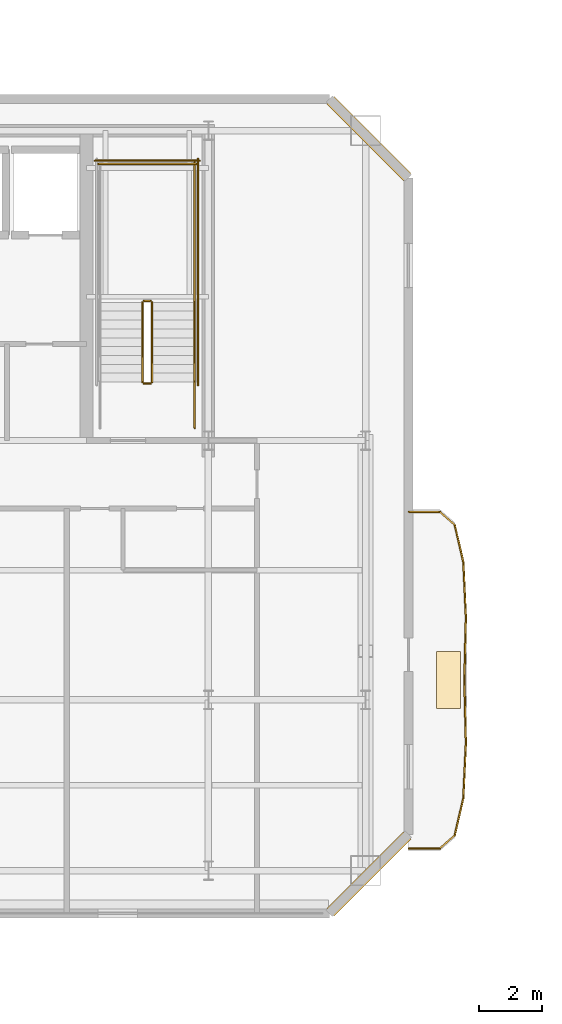
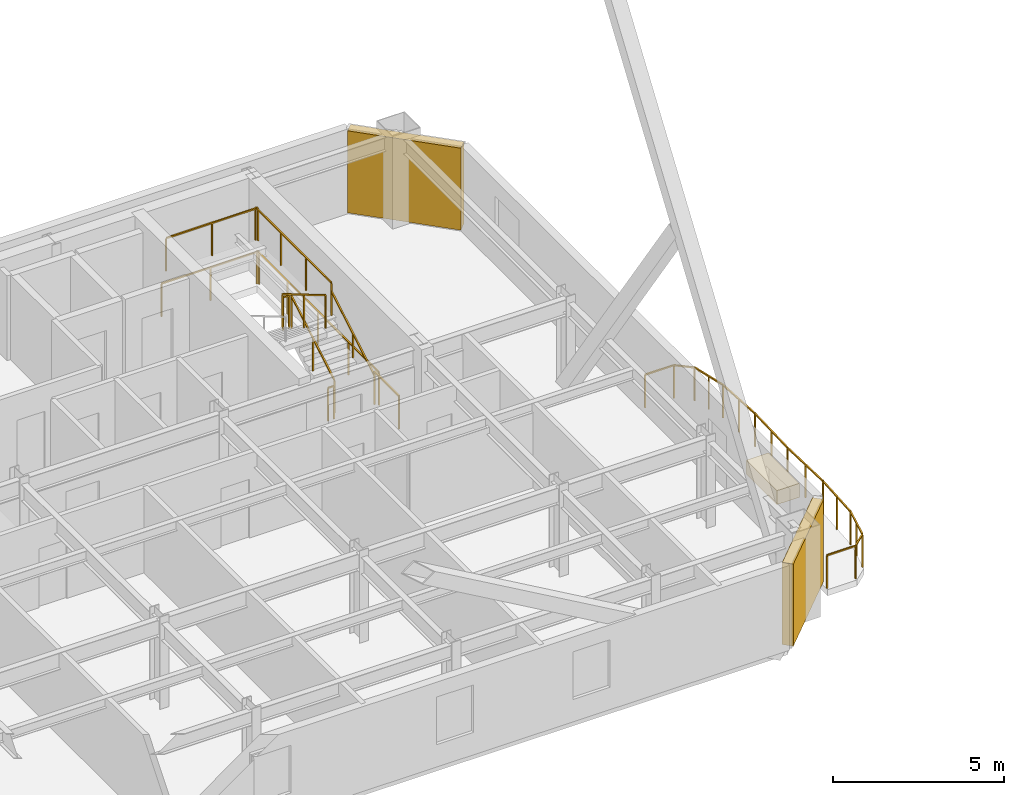
# One storey, part 8 of 9: 20 railings, 2 shading devices, 1 covering.
"""IFC4 building model written with IfcOpenShell, lengths in metres."""

from ifc_helpers import new_model, si_unit, direction, frame, origin, origin_2d, place, context, subcontext, project, spatial, rectangle, extrude, material, layer, layer_set, type_object, element, save


model = new_model("IFC4")

# Units and contexts
model_context = context("Model", 3, precision=1e-05, world=origin(), true_north=direction((0.0, 1.0)))
body_context = subcontext(model_context, "Body", "Model", "MODEL_VIEW")
ifc_project = project(units=[si_unit("LENGTHUNIT", "METRE"), si_unit("AREAUNIT", "SQUARE_METRE"), si_unit("VOLUMEUNIT", "CUBIC_METRE"), si_unit("PLANEANGLEUNIT", "RADIAN"), si_unit("MASSUNIT", "GRAM", prefix="KILO")], contexts=[model_context])

# Site, building, storey
site_placement = place(None, origin())
site = spatial("IfcSite", under=ifc_project, at=site_placement, CompositionType="ELEMENT")
building_placement = place(site_placement, origin())
building = spatial("IfcBuilding", under=site, at=building_placement, Name="Haevon Station Towers", CompositionType="ELEMENT")
storey_placement = place(building_placement, frame((0.0, 0.0, 239.39990234375)))
storey = spatial("IfcBuildingStorey", under=building, at=storey_placement, Name="L66", CompositionType="ELEMENT", Elevation=239.39990234375)

# Railings
ifc_material_1 = material(Name="Steel S355", Category="steel")
railing_type_1 = type_object("IfcRailingType", Name="GRD-EXT1200", PredefinedType="GUARDRAIL", material=ifc_material_1)
railing_1_placement = place(storey_placement, frame((57.34814453125, 25.302978515625, 0.0)))
element("IfcRailing", 1, at=railing_1_placement, inside=storey, type_object=railing_type_1, Name="L66 Perimeter Guardrail 1", PredefinedType="GUARDRAIL", context=body_context, shape_type="SweptSolid", body=[
    extrude(rectangle(XDim=0.048095703125, YDim=0.048095703125, at=origin_2d()), frame((0.0, 0.0, 1.17578125), z_axis=(0.999997991982, 0.002004003992, 0.0), x_axis=(-0.002004003992, 0.999997991982, 0.0)), (0.0, 0.0, 1.0), 0.974609375),
    extrude(rectangle(XDim=0.0419921875, YDim=0.0419921875, at=origin_2d()), origin(), (0.0, 0.0, 1.0), 1.15185546875),
    extrude(rectangle(XDim=0.0419921875, YDim=0.0419921875, at=origin_2d()), frame((0.974609375, 0.001953125, 0.0)), (0.0, 0.0, 1.0), 1.15185546875),
])
railing_2_placement = place(storey_placement, frame((58.32275390625, 25.304931640625, 0.0)))
element("IfcRailing", 2, at=railing_2_placement, inside=storey, type_object=railing_type_1, Name="L66 Perimeter Guardrail 2", PredefinedType="GUARDRAIL", context=body_context, shape_type="SweptSolid", body=[
    extrude(rectangle(XDim=0.048095703125, YDim=0.048095703125, at=origin_2d()), frame((0.0, 0.0, 1.17578125), z_axis=(0.750775765034, 0.660557151681, 0.0), x_axis=(-0.660557151681, 0.750775765034, 0.0)), (0.0, 0.0, 1.0), 0.622314453125),
    extrude(rectangle(XDim=0.0419921875, YDim=0.0419921875, at=origin_2d()), origin(), (0.0, 0.0, 1.0), 1.15185546875),
    extrude(rectangle(XDim=0.0419921875, YDim=0.0419921875, at=origin_2d()), frame((0.46728515625, 0.4111328125, 0.0)), (0.0, 0.0, 1.0), 1.15185546875),
])
railing_3_placement = place(storey_placement, frame((58.7900390625, 25.716064453125, 0.0)))
element("IfcRailing", 3, at=railing_3_placement, inside=storey, type_object=railing_type_1, Name="L66 Perimeter Guardrail 3", PredefinedType="GUARDRAIL", context=body_context, shape_type="SweptSolid", body=[
    extrude(rectangle(XDim=0.048095703125, YDim=0.048095703125, at=origin_2d()), frame((0.0, 0.0, 1.17578125), z_axis=(0.227396637596, 0.973802222841, 0.0), x_axis=(-0.973802222841, 0.227396637596, 0.0)), (0.0, 0.0, 1.0), 1.201416015625),
    extrude(rectangle(XDim=0.0419921875, YDim=0.0419921875, at=origin_2d()), origin(), (0.0, 0.0, 1.0), 1.15185546875),
    extrude(rectangle(XDim=0.0419921875, YDim=0.0419921875, at=origin_2d()), frame((0.13671875, 0.5849609375, 0.0)), (0.0, 0.0, 1.0), 1.15185546875),
    extrude(rectangle(XDim=0.0419921875, YDim=0.0419921875, at=origin_2d()), frame((0.273193359375, 1.169921875, 0.0)), (0.0, 0.0, 1.0), 1.15185546875),
])
railing_4_placement = place(storey_placement, frame((59.063232421875, 26.885986328125, 0.0)))
element("IfcRailing", 4, at=railing_4_placement, inside=storey, type_object=railing_type_1, Name="L66 Perimeter Guardrail 4", PredefinedType="GUARDRAIL", context=body_context, shape_type="SweptSolid", body=[
    extrude(rectangle(XDim=0.048095703125, YDim=0.048095703125, at=origin_2d()), frame((0.0, 0.0, 1.17578125), z_axis=(0.046419346873, 0.99892204112, 0.0), x_axis=(-0.99892204112, 0.046419346873, 0.0)), (0.0, 0.0, 1.0), 1.75146484375),
    extrude(rectangle(XDim=0.0419921875, YDim=0.0419921875, at=origin_2d()), origin(), (0.0, 0.0, 1.0), 1.15185546875),
    extrude(rectangle(XDim=0.0419921875, YDim=0.0419921875, at=origin_2d()), frame((0.04052734375, 0.874755859375, 0.0)), (0.0, 0.0, 1.0), 1.15185546875),
    extrude(rectangle(XDim=0.0419921875, YDim=0.0419921875, at=origin_2d()), frame((0.081298828125, 1.74951171875, 0.0)), (0.0, 0.0, 1.0), 1.15185546875),
])
railing_5_placement = place(storey_placement, frame((59.14453125, 28.635498046875, 0.0)))
element("IfcRailing", 5, at=railing_5_placement, inside=storey, type_object=railing_type_1, Name="L66 Perimeter Guardrail 5", PredefinedType="GUARDRAIL", context=body_context, shape_type="SweptSolid", body=[
    extrude(rectangle(XDim=0.048095703125, YDim=0.048095703125, at=origin_2d()), frame((0.0, 0.0, 1.17578125), z_axis=(-0.024290290781, 0.999704947359, 0.0), x_axis=(-0.999704947359, -0.024290290781, 0.0)), (0.0, 0.0, 1.0), 1.989990234375),
    extrude(rectangle(XDim=0.0419921875, YDim=0.0419921875, at=origin_2d()), origin(), (0.0, 0.0, 1.0), 1.15185546875),
    extrude(rectangle(XDim=0.0419921875, YDim=0.0419921875, at=origin_2d()), frame((-0.024169921875, 0.99462890625, 0.0)), (0.0, 0.0, 1.0), 1.15185546875),
    extrude(rectangle(XDim=0.0419921875, YDim=0.0419921875, at=origin_2d()), frame((-0.04833984375, 1.989501953125, 0.0)), (0.0, 0.0, 1.0), 1.15185546875),
])
railing_6_placement = place(storey_placement, frame((59.09619140625, 30.625, 0.0)))
element("IfcRailing", 6, at=railing_6_placement, inside=storey, type_object=railing_type_1, Name="L66 Perimeter Guardrail 6", PredefinedType="GUARDRAIL", context=body_context, shape_type="SweptSolid", body=[
    extrude(rectangle(XDim=0.048095703125, YDim=0.048095703125, at=origin_2d()), frame((0.0, 0.0, 1.17578125), z_axis=(0.024290290781, 0.999704947359, 0.0), x_axis=(-0.999704947359, 0.024290290781, 0.0)), (0.0, 0.0, 1.0), 1.989990234375),
    extrude(rectangle(XDim=0.0419921875, YDim=0.0419921875, at=origin_2d()), origin(), (0.0, 0.0, 1.0), 1.15185546875),
    extrude(rectangle(XDim=0.0419921875, YDim=0.0419921875, at=origin_2d()), frame((0.024169921875, 0.99462890625, 0.0)), (0.0, 0.0, 1.0), 1.15185546875),
    extrude(rectangle(XDim=0.0419921875, YDim=0.0419921875, at=origin_2d()), frame((0.04833984375, 1.989501953125, 0.0)), (0.0, 0.0, 1.0), 1.15185546875),
])
railing_7_placement = place(storey_placement, frame((59.14453125, 32.614501953125, 0.0)))
element("IfcRailing", 7, at=railing_7_placement, inside=storey, type_object=railing_type_1, Name="L66 Perimeter Guardrail 7", PredefinedType="GUARDRAIL", context=body_context, shape_type="SweptSolid", body=[
    extrude(rectangle(XDim=0.048095703125, YDim=0.048095703125, at=origin_2d()), frame((0.0, 0.0, 1.17578125), z_axis=(-0.046419346873, 0.99892204112, 0.0), x_axis=(-0.99892204112, -0.046419346873, 0.0)), (0.0, 0.0, 1.0), 1.75146484375),
    extrude(rectangle(XDim=0.0419921875, YDim=0.0419921875, at=origin_2d()), origin(), (0.0, 0.0, 1.0), 1.15185546875),
    extrude(rectangle(XDim=0.0419921875, YDim=0.0419921875, at=origin_2d()), frame((-0.04052734375, 0.874755859375, 0.0)), (0.0, 0.0, 1.0), 1.15185546875),
    extrude(rectangle(XDim=0.0419921875, YDim=0.0419921875, at=origin_2d()), frame((-0.081298828125, 1.74951171875, 0.0)), (0.0, 0.0, 1.0), 1.15185546875),
])
railing_8_placement = place(storey_placement, frame((59.063232421875, 34.364013671875, 0.0)))
element("IfcRailing", 8, at=railing_8_placement, inside=storey, type_object=railing_type_1, Name="L66 Perimeter Guardrail 8", PredefinedType="GUARDRAIL", context=body_context, shape_type="SweptSolid", body=[
    extrude(rectangle(XDim=0.048095703125, YDim=0.048095703125, at=origin_2d()), frame((0.0, 0.0, 1.17578125), z_axis=(-0.227396637596, 0.973802222841, 0.0), x_axis=(-0.973802222841, -0.227396637596, 0.0)), (0.0, 0.0, 1.0), 1.201416015625),
    extrude(rectangle(XDim=0.0419921875, YDim=0.0419921875, at=origin_2d()), origin(), (0.0, 0.0, 1.0), 1.15185546875),
    extrude(rectangle(XDim=0.0419921875, YDim=0.0419921875, at=origin_2d()), frame((-0.13671875, 0.5849609375, 0.0)), (0.0, 0.0, 1.0), 1.15185546875),
    extrude(rectangle(XDim=0.0419921875, YDim=0.0419921875, at=origin_2d()), frame((-0.273193359375, 1.169921875, 0.0)), (0.0, 0.0, 1.0), 1.15185546875),
])
railing_9_placement = place(storey_placement, frame((58.7900390625, 35.533935546875, 0.0)))
element("IfcRailing", 9, at=railing_9_placement, inside=storey, type_object=railing_type_1, Name="L66 Perimeter Guardrail 9", PredefinedType="GUARDRAIL", context=body_context, shape_type="SweptSolid", body=[
    extrude(rectangle(XDim=0.048095703125, YDim=0.048095703125, at=origin_2d()), frame((0.0, 0.0, 1.17578125), z_axis=(-0.750775765034, 0.660557151681, 0.0), x_axis=(-0.660557151681, -0.750775765034, 0.0)), (0.0, 0.0, 1.0), 0.622314453125),
    extrude(rectangle(XDim=0.0419921875, YDim=0.0419921875, at=origin_2d()), origin(), (0.0, 0.0, 1.0), 1.15185546875),
    extrude(rectangle(XDim=0.0419921875, YDim=0.0419921875, at=origin_2d()), frame((-0.46728515625, 0.4111328125, 0.0)), (0.0, 0.0, 1.0), 1.15185546875),
])
railing_10_placement = place(storey_placement, frame((58.32275390625, 35.945068359375, 0.0)))
element("IfcRailing", 10, at=railing_10_placement, inside=storey, type_object=railing_type_1, Name="L66 Perimeter Guardrail 10", PredefinedType="GUARDRAIL", context=body_context, shape_type="SweptSolid", body=[
    extrude(rectangle(XDim=0.048095703125, YDim=0.048095703125, at=origin_2d()), frame((0.0, 0.0, 1.17578125), z_axis=(-0.999997991982, 0.002004003992, 0.0), x_axis=(-0.002004003992, -0.999997991982, 0.0)), (0.0, 0.0, 1.0), 0.974609375),
    extrude(rectangle(XDim=0.0419921875, YDim=0.0419921875, at=origin_2d()), origin(), (0.0, 0.0, 1.0), 1.15185546875),
    extrude(rectangle(XDim=0.0419921875, YDim=0.0419921875, at=origin_2d()), frame((-0.974609375, 0.001953125, 0.0)), (0.0, 0.0, 1.0), 1.15185546875),
])
railing_type_2 = type_object("IfcRailingType", Name="GRD-STR1200", PredefinedType="GUARDRAIL", material=ifc_material_1)
railing_11_placement = place(storey_placement, frame((49.219970703125, 40.050048828125, 0.1650390625)))
element("IfcRailing", 11, at=railing_11_placement, inside=storey, type_object=railing_type_2, Name="L66 ST2 Stair Guard 1", PredefinedType="GUARDRAIL", context=body_context, shape_type="SweptSolid", body=[
    extrude(rectangle(XDim=0.048095703125, YDim=0.048095703125, at=origin_2d()), frame((0.0, 0.0, 1.17578125), z_axis=(0.0, 0.86152411907, 0.507716645641), x_axis=(-1.0, 0.0, 0.0)), (0.0, 0.0, 1.0), 2.925048828125),
    extrude(rectangle(XDim=0.0419921875, YDim=0.0419921875, at=origin_2d()), origin(), (0.0, 0.0, 1.0), 1.15185546875),
    extrude(rectangle(XDim=0.0419921875, YDim=0.0419921875, at=origin_2d()), frame((0.0, 1.260009765625, 0.74267578125)), (0.0, 0.0, 1.0), 1.15185546875),
    extrude(rectangle(XDim=0.0419921875, YDim=0.0419921875, at=origin_2d()), frame((0.0, 2.52001953125, 1.485107421875)), (0.0, 0.0, 1.0), 1.15185546875),
])
railing_12_placement = place(storey_placement, frame((49.169921875, 42.6201171875, 1.650146484375)))
element("IfcRailing", 12, at=railing_12_placement, inside=storey, type_object=railing_type_2, Name="L66 ST2 Stair Guard 2", PredefinedType="GUARDRAIL", context=body_context, shape_type="SweptSolid", body=[
    extrude(rectangle(XDim=0.048095703125, YDim=0.048095703125, at=origin_2d()), frame((0.0, 0.0, 1.17578125), z_axis=(-1.0, 0.0, 0.0), x_axis=(0.0, -1.0, 0.0)), (0.0, 0.0, 1.0), 0.199951171875),
    extrude(rectangle(XDim=0.0419921875, YDim=0.0419921875, at=origin_2d()), origin(), (0.0, 0.0, 1.0), 1.15185546875),
    extrude(rectangle(XDim=0.0419921875, YDim=0.0419921875, at=origin_2d()), frame((-0.199951171875, 0.0, 0.0)), (0.0, 0.0, 1.0), 1.15185546875),
])
railing_13_placement = place(storey_placement, frame((50.570068359375, 42.570068359375, 1.650146484375)))
element("IfcRailing", 13, at=railing_13_placement, inside=storey, type_object=railing_type_2, Name="L66 ST2 Stair Guard 3", PredefinedType="GUARDRAIL", context=body_context, shape_type="SweptSolid", body=[
    extrude(rectangle(XDim=0.048095703125, YDim=0.048095703125, at=origin_2d()), frame((0.0, 0.0, 1.17578125), z_axis=(0.0, 1.0, 0.0), x_axis=(-1.0, 0.0, 0.0)), (0.0, 0.0, 1.0), 4.429931640625),
    extrude(rectangle(XDim=0.0419921875, YDim=0.0419921875, at=origin_2d()), origin(), (0.0, 0.0, 1.0), 1.15185546875),
    extrude(rectangle(XDim=0.0419921875, YDim=0.0419921875, at=origin_2d()), frame((0.0, 1.4765625, 0.0)), (0.0, 0.0, 1.0), 1.15185546875),
    extrude(rectangle(XDim=0.0419921875, YDim=0.0419921875, at=origin_2d()), frame((0.0, 2.953369140625, 0.0)), (0.0, 0.0, 1.0), 1.15185546875),
    extrude(rectangle(XDim=0.0419921875, YDim=0.0419921875, at=origin_2d()), frame((0.0, 4.429931640625, 0.0)), (0.0, 0.0, 1.0), 1.15185546875),
])
railing_14_placement = place(storey_placement, frame((50.6201171875, 46.949951171875, 1.650146484375)))
element("IfcRailing", 14, at=railing_14_placement, inside=storey, type_object=railing_type_2, Name="L66 ST2 Stair Guard 5", PredefinedType="GUARDRAIL", context=body_context, shape_type="SweptSolid", body=[
    extrude(rectangle(XDim=0.048095703125, YDim=0.048095703125, at=origin_2d()), frame((0.0, 0.0, 1.17578125), z_axis=(-1.0, 0.0, 0.0), x_axis=(0.0, -1.0, 0.0)), (0.0, 0.0, 1.0), 3.10009765625),
    extrude(rectangle(XDim=0.0419921875, YDim=0.0419921875, at=origin_2d()), origin(), (0.0, 0.0, 1.0), 1.15185546875),
    extrude(rectangle(XDim=0.0419921875, YDim=0.0419921875, at=origin_2d()), frame((-1.550048828125, 0.0, 0.0)), (0.0, 0.0, 1.0), 1.15185546875),
    extrude(rectangle(XDim=0.0419921875, YDim=0.0419921875, at=origin_2d()), frame((-3.10009765625, 0.0, 0.0)), (0.0, 0.0, 1.0), 1.15185546875),
])
railing_15_placement = place(storey_placement, frame((48.919921875, 42.570068359375, 1.815185546875)))
element("IfcRailing", 15, at=railing_15_placement, inside=storey, type_object=railing_type_2, Name="L66 ST2 Stair Guard 6", PredefinedType="GUARDRAIL", context=body_context, shape_type="SweptSolid", body=[
    extrude(rectangle(XDim=0.048095703125, YDim=0.048095703125, at=origin_2d()), frame((0.0, 0.0, 1.17578125), z_axis=(0.0, -0.861560626758, 0.507654692109), x_axis=(1.0, 0.0, 0.0)), (0.0, 0.0, 1.0), 2.925048828125),
    extrude(rectangle(XDim=0.0419921875, YDim=0.0419921875, at=origin_2d()), origin(), (0.0, 0.0, 1.0), 1.15185546875),
    extrude(rectangle(XDim=0.0419921875, YDim=0.0419921875, at=origin_2d()), frame((0.0, -1.260009765625, 0.742431640625)), (0.0, 0.0, 1.0), 1.15185546875),
    extrude(rectangle(XDim=0.0419921875, YDim=0.0419921875, at=origin_2d()), frame((0.0, -2.52001953125, 1.48486328125)), (0.0, 0.0, 1.0), 1.15185546875),
])
railing_16_placement = place(storey_placement, frame((49.169921875, 40.0, 0.0)))
element("IfcRailing", 16, at=railing_16_placement, inside=storey, type_object=railing_type_2, Name="L66 ST2 Stair Guard 7", PredefinedType="GUARDRAIL", context=body_context, shape_type="SweptSolid", body=[
    extrude(rectangle(XDim=0.048095703125, YDim=0.048095703125, at=origin_2d()), frame((0.0, 0.0, 1.17578125), z_axis=(-1.0, 0.0, 0.0), x_axis=(0.0, -1.0, 0.0)), (0.0, 0.0, 1.0), 0.199951171875),
    extrude(rectangle(XDim=0.0419921875, YDim=0.0419921875, at=origin_2d()), origin(), (0.0, 0.0, 1.0), 1.15185546875),
    extrude(rectangle(XDim=0.0419921875, YDim=0.0419921875, at=origin_2d()), frame((-0.199951171875, 0.0, 0.0)), (0.0, 0.0, 1.0), 1.15185546875),
])
railing_17_placement = place(storey_placement, frame((50.570068359375, 38.60009765625, 0.0)))
element("IfcRailing", 17, at=railing_17_placement, inside=storey, type_object=railing_type_2, Name="L66 ST2 Stair Guard 8", PredefinedType="GUARDRAIL", context=body_context, shape_type="SweptSolid", body=[
    extrude(rectangle(XDim=0.048095703125, YDim=0.048095703125, at=origin_2d()), frame((0.0, 0.0, 1.17578125), z_axis=(0.0, 1.0, 0.0), x_axis=(-1.0, 0.0, 0.0)), (0.0, 0.0, 1.0), 1.449951171875),
    extrude(rectangle(XDim=0.0419921875, YDim=0.0419921875, at=origin_2d()), origin(), (0.0, 0.0, 1.0), 1.15185546875),
    extrude(rectangle(XDim=0.0419921875, YDim=0.0419921875, at=origin_2d()), frame((0.0, 1.449951171875, 0.0)), (0.0, 0.0, 1.0), 1.15185546875),
])
railing_18_placement = place(storey_placement, frame((50.669921875, 39.949951171875, 0.0)))
element("IfcRailing", 18, at=railing_18_placement, inside=storey, type_object=railing_type_2, Name="L66 ST2 Stair Guard 10", PredefinedType="GUARDRAIL", context=body_context, shape_type="SweptSolid", body=[
    extrude(rectangle(XDim=0.048095703125, YDim=0.048095703125, at=origin_2d()), frame((0.0, 0.0, 1.17578125), z_axis=(0.0, 1.0, 0.0), x_axis=(-1.0, 0.0, 0.0)), (0.0, 0.0, 1.0), 7.150146484375),
    extrude(rectangle(XDim=0.0419921875, YDim=0.0419921875, at=origin_2d()), origin(), (0.0, 0.0, 1.0), 1.15185546875),
    extrude(rectangle(XDim=0.0419921875, YDim=0.0419921875, at=origin_2d()), frame((0.0, 1.78759765625, 0.0)), (0.0, 0.0, 1.0), 1.15185546875),
    extrude(rectangle(XDim=0.0419921875, YDim=0.0419921875, at=origin_2d()), frame((0.0, 3.5751953125, 0.0)), (0.0, 0.0, 1.0), 1.15185546875),
    extrude(rectangle(XDim=0.0419921875, YDim=0.0419921875, at=origin_2d()), frame((0.0, 5.362548828125, 0.0)), (0.0, 0.0, 1.0), 1.15185546875),
    extrude(rectangle(XDim=0.0419921875, YDim=0.0419921875, at=origin_2d()), frame((0.0, 7.150146484375, 0.0)), (0.0, 0.0, 1.0), 1.15185546875),
])
railing_19_placement = place(storey_placement, frame((50.719970703125, 47.050048828125, 0.0)))
element("IfcRailing", 19, at=railing_19_placement, inside=storey, type_object=railing_type_2, Name="L66 ST2 Stair Guard 12", PredefinedType="GUARDRAIL", context=body_context, shape_type="SweptSolid", body=[
    extrude(rectangle(XDim=0.048095703125, YDim=0.048095703125, at=origin_2d()), frame((0.0, 0.0, 1.17578125), z_axis=(-1.0, 0.0, 0.0), x_axis=(0.0, -1.0, 0.0)), (0.0, 0.0, 1.0), 3.300048828125),
    extrude(rectangle(XDim=0.0419921875, YDim=0.0419921875, at=origin_2d()), origin(), (0.0, 0.0, 1.0), 1.15185546875),
    extrude(rectangle(XDim=0.0419921875, YDim=0.0419921875, at=origin_2d()), frame((-1.64990234375, 0.0, 0.0)), (0.0, 0.0, 1.0), 1.15185546875),
    extrude(rectangle(XDim=0.0419921875, YDim=0.0419921875, at=origin_2d()), frame((-3.300048828125, 0.0, 0.0)), (0.0, 0.0, 1.0), 1.15185546875),
])
railing_type_3 = type_object("IfcRailingType", Name="HND-STR900", PredefinedType="HANDRAIL", material=ifc_material_1)
railing_20_placement = place(storey_placement, frame((50.570068359375, 40.050048828125, 0.1650390625)))
element("IfcRailing", 20, at=railing_20_placement, inside=storey, type_object=railing_type_3, Name="L66 ST2 Stair Handrail 1", PredefinedType="HANDRAIL", context=body_context, shape_type="SweptSolid", body=[
    extrude(rectangle(XDim=0.048095703125, YDim=0.048095703125, at=origin_2d()), frame((0.0, 0.0, 0.8759765625), z_axis=(0.0, 0.86152411907, 0.507716645641), x_axis=(-1.0, 0.0, 0.0)), (0.0, 0.0, 1.0), 2.925048828125),
    extrude(rectangle(XDim=0.0419921875, YDim=0.0419921875, at=origin_2d()), origin(), (0.0, 0.0, 1.0), 0.851806640625),
    extrude(rectangle(XDim=0.0419921875, YDim=0.0419921875, at=origin_2d()), frame((0.0, 1.260009765625, 0.74267578125)), (0.0, 0.0, 1.0), 0.851806640625),
    extrude(rectangle(XDim=0.0419921875, YDim=0.0419921875, at=origin_2d()), frame((0.0, 2.52001953125, 1.485107421875)), (0.0, 0.0, 1.0), 0.851806640625),
])

# Covering
ifc_material_2 = material(Name="Architectural planter GRC", Category="concrete")
ifc_layer_1 = layer(ifc_material_2, 0.550048828125)
ifc_layer_set_1 = layer_set([ifc_layer_1], Name="Architectural planter GRC")
covering_type = type_object("IfcCoveringType", Name="PLN-GRC550", PredefinedType="MOLDING", material=ifc_layer_set_1)
covering_placement = place(storey_placement, frame((58.594482421875, 30.625, 0.0), z_axis=(0.0, 0.0, 1.0), x_axis=(1.0, 0.0, 0.0)))
element("IfcCovering", 21, at=covering_placement, inside=storey, type_object=covering_type, Name="Tower 1 L66 Scalloped Balcony PLANTER", PredefinedType="MOLDING", context=body_context, shape_type="SweptSolid", body=[
    extrude(rectangle(XDim=0.75, YDim=1.800048828125, at=origin_2d()), origin(), (0.0, 0.0, 1.0), 0.5),
])

# Shading devices
ifc_material_3 = material(Name="Anodised aluminium 6063-T6", Category="aluminium")
ifc_layer_2 = layer(ifc_material_3, 0.139892578125)
ifc_layer_set_2 = layer_set([ifc_layer_2], Name="Anodised aluminium 6063-T6")
shading_device_type = type_object("IfcShadingDeviceType", Name="SHD-WIND-BAFFLE", PredefinedType="SHUTTER", material=ifc_layer_set_2)
for number, where, z_axis, x_axis, name in (
    (22, (56.074951171875, 47.75, 0.05029296875), (0.0, 0.0, 1.0), (0.707106781187, -0.707106781187, 0.0), "Tower 1 L66 Wind-Corner Aerofoil Baffle NEC"),
    (23, (56.074951171875, 24.5, 0.05029296875), (0.0, 0.0, 1.0), (-0.707106781187, -0.707106781187, 0.0), "Tower 1 L66 Wind-Corner Aerofoil Baffle SEC"),
):
    element("IfcShadingDevice", number, at=place(storey_placement, frame(where, z_axis=z_axis, x_axis=x_axis)), inside=storey, type_object=shading_device_type, Name=name, PredefinedType="SHUTTER", context=body_context, shape_type="SweptSolid", body=[
        extrude(rectangle(XDim=3.435546875, YDim=0.340087890625, at=origin_2d()), origin(), (0.0, 0.0, 1.0), 2.929931640625),
    ])

save(model, "model.ifc")
